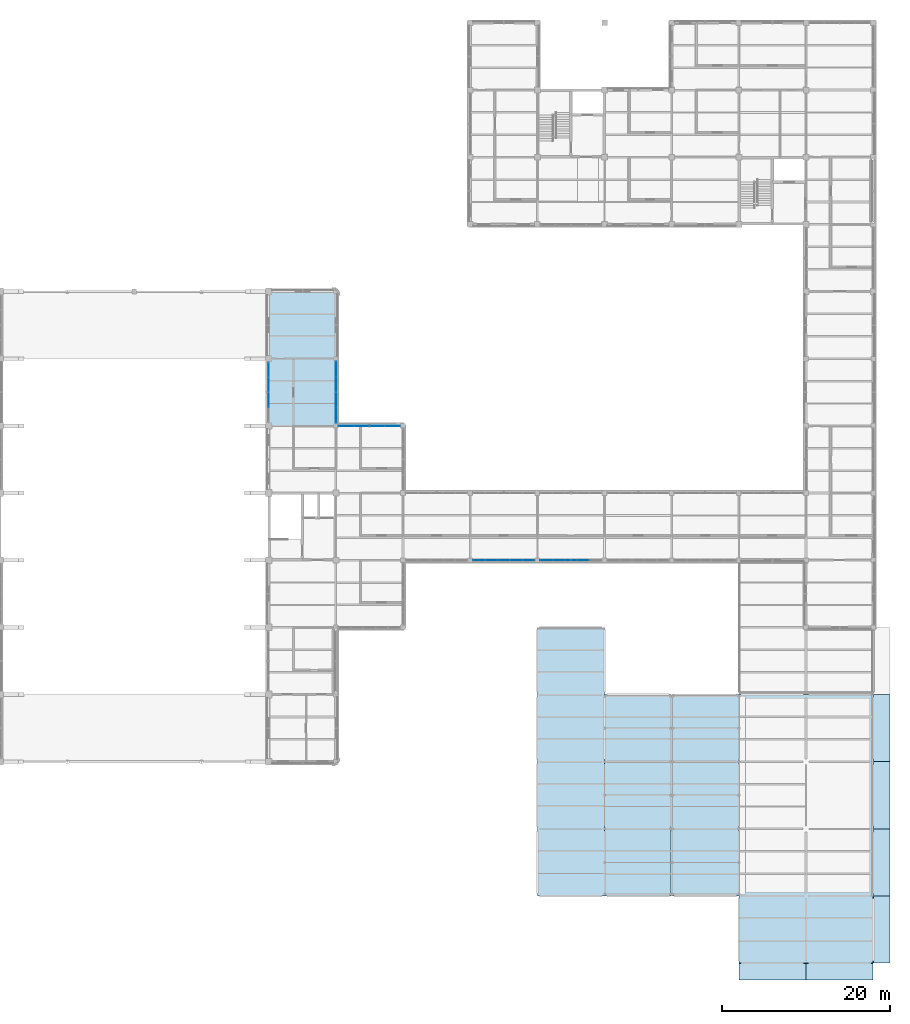
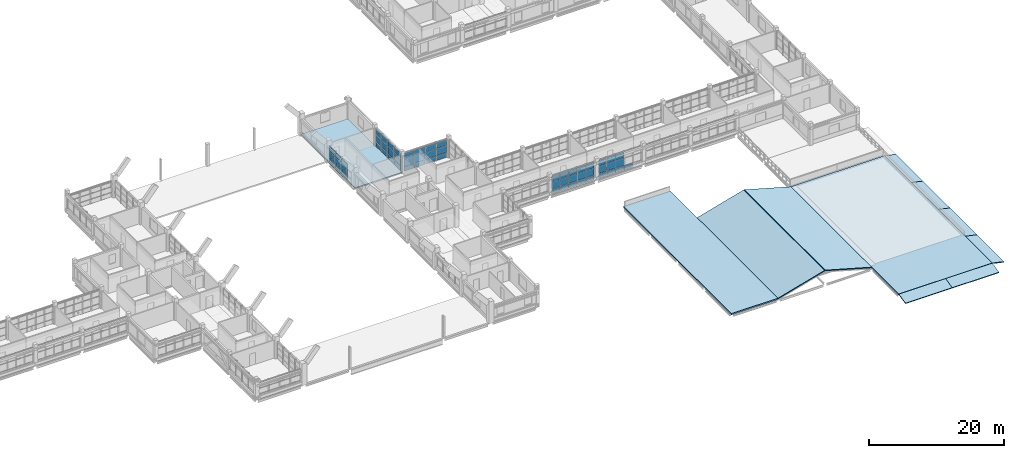
# One storey, part 56 of 92: 58 plates, 11 slabs, 5 elements without a shape of their own.
"""IFC4 building model written with IfcOpenShell, lengths in metres."""

from ifc_helpers import new_model, si_unit, derived_unit, direction, frame, origin, origin_2d, place, context, subcontext, project, spatial, polyline, rectangle, outline, extrude, material, layer, layer_set, type_object, element, aggregate, save


model = new_model("IFC4")

# Units and contexts
model_context = context("Model", 3, precision=1e-05, world=origin(), true_north=direction((0.0, 1.0)))
body_context = subcontext(model_context, "Body", "Model", "MODEL_VIEW")
ifc_project = project(units=[si_unit("LENGTHUNIT", "METRE"), si_unit("AREAUNIT", "SQUARE_METRE"), si_unit("VOLUMEUNIT", "CUBIC_METRE"), si_unit("PLANEANGLEUNIT", "RADIAN"), si_unit("MASSUNIT", "GRAM", prefix="KILO"), derived_unit("THERMALTRANSMITTANCEUNIT", [(si_unit("MASSUNIT", "GRAM", prefix="KILO"), 1), (si_unit("TIMEUNIT", "SECOND"), -3), (si_unit("THERMODYNAMICTEMPERATUREUNIT", "KELVIN"), -1)])], contexts=[model_context])

# Site, building, storey
site_placement = place(None, origin())
site = spatial("IfcSite", under=ifc_project, at=site_placement, CompositionType="ELEMENT")
building_placement = place(site_placement, origin())
building = spatial("IfcBuilding", under=site, at=building_placement, Name="Veyamyaing Civic Hall", CompositionType="ELEMENT")
storey_placement = place(building_placement, frame((0.0, 0.0, 17.820068359375)))
storey = spatial("IfcBuildingStorey", under=building, at=storey_placement, Name="L04", CompositionType="ELEMENT", Elevation=17.820068359375)

# Curtain wall, plates
ifc_material_1 = material(Name="Anodised aluminium 6063-T6", Category="aluminium")
ifc_layer_1 = layer(ifc_material_1, 0.159912109375, Name="Anodised aluminium 6063-T6")
ifc_layer_set_1 = layer_set([ifc_layer_1], Name="Anodised aluminium 6063-T6")
curtain_wall_type_1 = type_object("IfcCurtainWallType", Name="CW-08", PredefinedType="NOTDEFINED", material=ifc_layer_set_1)
curtain_wall_1_placement = place(storey_placement, origin())
curtain_wall_1 = element("IfcCurtainWall", 1, at=curtain_wall_1_placement, inside=storey, type_object=curtain_wall_type_1, Name="Unitized curtain wall CW-08 L04 W 14.9", PredefinedType="NOTDEFINED")
ifc_material_2 = material(Name="Low-E insulated glass", Category="glass")
ifc_layer_2 = layer(ifc_material_2, 0.035888671875, Name="Low-E insulated glass")
ifc_layer_set_2 = layer_set([ifc_layer_2], Name="Low-E insulated glass")
plate_type_1 = type_object("IfcPlateType", Name="CWP-03", PredefinedType="CURTAIN_PANEL", material=ifc_layer_set_2)
plate_1_placement = place(storey_placement, frame((104.0, 67.107421875, 0.06494140625), z_axis=(0.0, 0.0, 1.0), x_axis=(0.0, 1.0, 0.0)))
plate_1 = element("IfcPlate", 2, at=plate_1_placement, type_object=plate_type_1, Name="CW-08 panel 2.1", PredefinedType="CURTAIN_PANEL", context=body_context, shape_type="SweptSolid", body=[
    extrude(rectangle(XDim=1.719970703125, YDim=0.035888671875, at=origin_2d()), origin(), (0.0, 0.0, 1.0), 0.802490234375),
])
plate_2_placement = place(storey_placement, frame((104.0, 67.107421875, 0.9326171875), z_axis=(0.0, 0.0, 1.0), x_axis=(0.0, 1.0, 0.0)))
plate_2 = element("IfcPlate", 3, at=plate_2_placement, type_object=plate_type_1, Name="CW-08 panel 2.2", PredefinedType="CURTAIN_PANEL", context=body_context, shape_type="SweptSolid", body=[
    extrude(rectangle(XDim=1.719970703125, YDim=0.035888671875, at=origin_2d()), origin(), (0.0, 0.0, 1.0), 1.076416015625),
])
plate_3_placement = place(storey_placement, frame((104.0, 67.107421875, 2.07373046875), z_axis=(0.0, 0.0, 1.0), x_axis=(0.0, 1.0, 0.0)))
plate_3 = element("IfcPlate", 4, at=plate_3_placement, type_object=plate_type_1, Name="CW-08 panel 2.3", PredefinedType="CURTAIN_PANEL", context=body_context, shape_type="SweptSolid", body=[
    extrude(rectangle(XDim=1.719970703125, YDim=0.035888671875, at=origin_2d()), origin(), (0.0, 0.0, 1.0), 0.863037109375),
])
plate_4_placement = place(storey_placement, frame((104.0, 68.892578125, 0.06494140625), z_axis=(0.0, 0.0, 1.0), x_axis=(0.0, 1.0, 0.0)))
plate_4 = element("IfcPlate", 5, at=plate_4_placement, type_object=plate_type_1, Name="CW-08 panel 3.1", PredefinedType="CURTAIN_PANEL", context=body_context, shape_type="SweptSolid", body=[
    extrude(rectangle(XDim=1.719970703125, YDim=0.035888671875, at=origin_2d()), origin(), (0.0, 0.0, 1.0), 0.802490234375),
])
plate_5_placement = place(storey_placement, frame((104.0, 68.892578125, 0.9326171875), z_axis=(0.0, 0.0, 1.0), x_axis=(0.0, 1.0, 0.0)))
plate_5 = element("IfcPlate", 6, at=plate_5_placement, type_object=plate_type_1, Name="CW-08 panel 3.2", PredefinedType="CURTAIN_PANEL", context=body_context, shape_type="SweptSolid", body=[
    extrude(rectangle(XDim=1.719970703125, YDim=0.035888671875, at=origin_2d()), origin(), (0.0, 0.0, 1.0), 1.076416015625),
])
plate_6_placement = place(storey_placement, frame((104.0, 68.892578125, 2.07373046875), z_axis=(0.0, 0.0, 1.0), x_axis=(0.0, 1.0, 0.0)))
plate_6 = element("IfcPlate", 7, at=plate_6_placement, type_object=plate_type_1, Name="CW-08 panel 3.3", PredefinedType="CURTAIN_PANEL", context=body_context, shape_type="SweptSolid", body=[
    extrude(rectangle(XDim=1.719970703125, YDim=0.035888671875, at=origin_2d()), origin(), (0.0, 0.0, 1.0), 0.863037109375),
])
plate_7_placement = place(storey_placement, frame((104.0, 70.6611328125, 0.06494140625), z_axis=(0.0, 0.0, 1.0), x_axis=(0.0, 1.0, 0.0)))
plate_7 = element("IfcPlate", 8, at=plate_7_placement, type_object=plate_type_1, Name="CW-08 panel 4.1", PredefinedType="CURTAIN_PANEL", context=body_context, shape_type="SweptSolid", body=[
    extrude(rectangle(XDim=1.6875, YDim=0.035888671875, at=origin_2d()), origin(), (0.0, 0.0, 1.0), 0.802490234375),
])
plate_8_placement = place(storey_placement, frame((104.0, 70.6611328125, 0.9326171875), z_axis=(0.0, 0.0, 1.0), x_axis=(0.0, 1.0, 0.0)))
plate_8 = element("IfcPlate", 9, at=plate_8_placement, type_object=plate_type_1, Name="CW-08 panel 4.2", PredefinedType="CURTAIN_PANEL", context=body_context, shape_type="SweptSolid", body=[
    extrude(rectangle(XDim=1.6875, YDim=0.035888671875, at=origin_2d()), origin(), (0.0, 0.0, 1.0), 1.076416015625),
])
plate_9_placement = place(storey_placement, frame((104.0, 70.6611328125, 2.07373046875), z_axis=(0.0, 0.0, 1.0), x_axis=(0.0, 1.0, 0.0)))
plate_9 = element("IfcPlate", 10, at=plate_9_placement, type_object=plate_type_1, Name="CW-08 panel 4.3", PredefinedType="CURTAIN_PANEL", context=body_context, shape_type="SweptSolid", body=[
    extrude(rectangle(XDim=1.6875, YDim=0.035888671875, at=origin_2d()), origin(), (0.0, 0.0, 1.0), 0.863037109375),
])
aggregate(curtain_wall_1, [plate_1, plate_2, plate_3, plate_4, plate_5, plate_6, plate_7, plate_8, plate_9])

curtain_wall_2_placement = place(storey_placement, origin())
curtain_wall_2 = element("IfcCurtainWall", 11, at=curtain_wall_2_placement, inside=storey, type_object=curtain_wall_type_1, Name="Unitized curtain wall CW-08 L04 E 14.9", PredefinedType="NOTDEFINED")
plate_10_placement = place(storey_placement, frame((112.0, 65.2451171875, 0.06494140625), z_axis=(0.0, 0.0, 1.0), x_axis=(0.0, 1.0, 0.0)))
plate_10 = element("IfcPlate", 12, at=plate_10_placement, type_object=plate_type_1, Name="CW-08 panel 1.1", PredefinedType="CURTAIN_PANEL", context=body_context, shape_type="SweptSolid", body=[
    extrude(rectangle(XDim=1.75, YDim=0.035888671875, at=origin_2d()), origin(), (0.0, 0.0, 1.0), 0.802490234375),
])
plate_11_placement = place(storey_placement, frame((112.0, 65.2451171875, 0.932373046875), z_axis=(0.0, 0.0, 1.0), x_axis=(0.0, 1.0, 0.0)))
plate_11 = element("IfcPlate", 13, at=plate_11_placement, type_object=plate_type_1, Name="CW-08 panel 1.2", PredefinedType="CURTAIN_PANEL", context=body_context, shape_type="SweptSolid", body=[
    extrude(rectangle(XDim=1.75, YDim=0.035888671875, at=origin_2d()), origin(), (0.0, 0.0, 1.0), 1.271484375),
])
plate_12_placement = place(storey_placement, frame((112.0, 65.2451171875, 2.268798828125), z_axis=(0.0, 0.0, 1.0), x_axis=(0.0, 1.0, 0.0)))
plate_12 = element("IfcPlate", 14, at=plate_12_placement, type_object=plate_type_1, Name="CW-08 panel 1.3", PredefinedType="CURTAIN_PANEL", context=body_context, shape_type="SweptSolid", body=[
    extrude(rectangle(XDim=1.75, YDim=0.035888671875, at=origin_2d()), origin(), (0.0, 0.0, 1.0), 0.955078125),
])
plate_13_placement = place(storey_placement, frame((112.0, 67.076171875, 0.06494140625), z_axis=(0.0, 0.0, 1.0), x_axis=(0.0, 1.0, 0.0)))
plate_13 = element("IfcPlate", 15, at=plate_13_placement, type_object=plate_type_1, Name="CW-08 panel 2.1", PredefinedType="CURTAIN_PANEL", context=body_context, shape_type="SweptSolid", body=[
    extrude(rectangle(XDim=1.782470703125, YDim=0.035888671875, at=origin_2d()), origin(), (0.0, 0.0, 1.0), 0.802490234375),
])
plate_14_placement = place(storey_placement, frame((112.0, 67.076171875, 0.932373046875), z_axis=(0.0, 0.0, 1.0), x_axis=(0.0, 1.0, 0.0)))
plate_14 = element("IfcPlate", 16, at=plate_14_placement, type_object=plate_type_1, Name="CW-08 panel 2.2", PredefinedType="CURTAIN_PANEL", context=body_context, shape_type="SweptSolid", body=[
    extrude(rectangle(XDim=1.782470703125, YDim=0.035888671875, at=origin_2d()), origin(), (0.0, 0.0, 1.0), 1.271484375),
])
plate_15_placement = place(storey_placement, frame((112.0, 67.076171875, 2.268798828125), z_axis=(0.0, 0.0, 1.0), x_axis=(0.0, 1.0, 0.0)))
plate_15 = element("IfcPlate", 17, at=plate_15_placement, type_object=plate_type_1, Name="CW-08 panel 2.3", PredefinedType="CURTAIN_PANEL", context=body_context, shape_type="SweptSolid", body=[
    extrude(rectangle(XDim=1.782470703125, YDim=0.035888671875, at=origin_2d()), origin(), (0.0, 0.0, 1.0), 0.955078125),
])
plate_16_placement = place(storey_placement, frame((112.0, 68.923828125, 0.06494140625), z_axis=(0.0, 0.0, 1.0), x_axis=(0.0, 1.0, 0.0)))
plate_16 = element("IfcPlate", 18, at=plate_16_placement, type_object=plate_type_1, Name="CW-08 panel 3.1", PredefinedType="CURTAIN_PANEL", context=body_context, shape_type="SweptSolid", body=[
    extrude(rectangle(XDim=1.782470703125, YDim=0.035888671875, at=origin_2d()), origin(), (0.0, 0.0, 1.0), 0.802490234375),
])
plate_17_placement = place(storey_placement, frame((112.0, 68.923828125, 0.932373046875), z_axis=(0.0, 0.0, 1.0), x_axis=(0.0, 1.0, 0.0)))
plate_17 = element("IfcPlate", 19, at=plate_17_placement, type_object=plate_type_1, Name="CW-08 panel 3.2", PredefinedType="CURTAIN_PANEL", context=body_context, shape_type="SweptSolid", body=[
    extrude(rectangle(XDim=1.782470703125, YDim=0.035888671875, at=origin_2d()), origin(), (0.0, 0.0, 1.0), 1.271484375),
])
plate_18_placement = place(storey_placement, frame((112.0, 68.923828125, 2.268798828125), z_axis=(0.0, 0.0, 1.0), x_axis=(0.0, 1.0, 0.0)))
plate_18 = element("IfcPlate", 20, at=plate_18_placement, type_object=plate_type_1, Name="CW-08 panel 3.3", PredefinedType="CURTAIN_PANEL", context=body_context, shape_type="SweptSolid", body=[
    extrude(rectangle(XDim=1.782470703125, YDim=0.035888671875, at=origin_2d()), origin(), (0.0, 0.0, 1.0), 0.955078125),
])
plate_19_placement = place(storey_placement, frame((112.0, 70.7548828125, 0.06494140625), z_axis=(0.0, 0.0, 1.0), x_axis=(0.0, 1.0, 0.0)))
plate_19 = element("IfcPlate", 21, at=plate_19_placement, type_object=plate_type_1, Name="CW-08 panel 4.1", PredefinedType="CURTAIN_PANEL", context=body_context, shape_type="SweptSolid", body=[
    extrude(rectangle(XDim=1.75, YDim=0.035888671875, at=origin_2d()), origin(), (0.0, 0.0, 1.0), 0.802490234375),
])
plate_20_placement = place(storey_placement, frame((112.0, 70.7548828125, 0.932373046875), z_axis=(0.0, 0.0, 1.0), x_axis=(0.0, 1.0, 0.0)))
plate_20 = element("IfcPlate", 22, at=plate_20_placement, type_object=plate_type_1, Name="CW-08 panel 4.2", PredefinedType="CURTAIN_PANEL", context=body_context, shape_type="SweptSolid", body=[
    extrude(rectangle(XDim=1.75, YDim=0.035888671875, at=origin_2d()), origin(), (0.0, 0.0, 1.0), 1.271484375),
])
plate_21_placement = place(storey_placement, frame((112.0, 70.7548828125, 2.268798828125), z_axis=(0.0, 0.0, 1.0), x_axis=(0.0, 1.0, 0.0)))
plate_21 = element("IfcPlate", 23, at=plate_21_placement, type_object=plate_type_1, Name="CW-08 panel 4.3", PredefinedType="CURTAIN_PANEL", context=body_context, shape_type="SweptSolid", body=[
    extrude(rectangle(XDim=1.75, YDim=0.035888671875, at=origin_2d()), origin(), (0.0, 0.0, 1.0), 0.955078125),
])
aggregate(curtain_wall_2, [plate_10, plate_11, plate_12, plate_13, plate_14, plate_15, plate_16, plate_17, plate_18, plate_19, plate_20, plate_21])

curtain_wall_3_placement = place(storey_placement, origin())
curtain_wall_3 = element("IfcCurtainWall", 24, at=curtain_wall_3_placement, inside=storey, type_object=curtain_wall_type_1, Name="Unitized curtain wall CW-08 L04 N 15.8", PredefinedType="NOTDEFINED")
plate_22_placement = place(storey_placement, frame((113.2451171875, 64.0, 0.06494140625), z_axis=(0.0, 0.0, 1.0), x_axis=(1.0, 0.0, 0.0)))
plate_22 = element("IfcPlate", 25, at=plate_22_placement, type_object=plate_type_1, Name="CW-08 panel 1.1", PredefinedType="CURTAIN_PANEL", context=body_context, shape_type="SweptSolid", body=[
    extrude(rectangle(XDim=1.75, YDim=0.035888671875, at=origin_2d()), origin(), (0.0, 0.0, 1.0), 0.802490234375),
])
plate_23_placement = place(storey_placement, frame((113.2451171875, 64.0, 0.932373046875), z_axis=(0.0, 0.0, 1.0), x_axis=(1.0, 0.0, 0.0)))
plate_23 = element("IfcPlate", 26, at=plate_23_placement, type_object=plate_type_1, Name="CW-08 panel 1.2", PredefinedType="CURTAIN_PANEL", context=body_context, shape_type="SweptSolid", body=[
    extrude(rectangle(XDim=1.75, YDim=0.035888671875, at=origin_2d()), origin(), (0.0, 0.0, 1.0), 1.271484375),
])
plate_24_placement = place(storey_placement, frame((113.2451171875, 64.0, 2.268798828125), z_axis=(0.0, 0.0, 1.0), x_axis=(1.0, 0.0, 0.0)))
plate_24 = element("IfcPlate", 27, at=plate_24_placement, type_object=plate_type_1, Name="CW-08 panel 1.3", PredefinedType="CURTAIN_PANEL", context=body_context, shape_type="SweptSolid", body=[
    extrude(rectangle(XDim=1.75, YDim=0.035888671875, at=origin_2d()), origin(), (0.0, 0.0, 1.0), 0.955078125),
])
plate_25_placement = place(storey_placement, frame((115.076171875, 64.0, 0.06494140625), z_axis=(0.0, 0.0, 1.0), x_axis=(1.0, 0.0, 0.0)))
plate_25 = element("IfcPlate", 28, at=plate_25_placement, type_object=plate_type_1, Name="CW-08 panel 2.1", PredefinedType="CURTAIN_PANEL", context=body_context, shape_type="SweptSolid", body=[
    extrude(rectangle(XDim=1.782470703125, YDim=0.035888671875, at=origin_2d()), origin(), (0.0, 0.0, 1.0), 0.802490234375),
])
plate_26_placement = place(storey_placement, frame((115.076171875, 64.0, 0.932373046875), z_axis=(0.0, 0.0, 1.0), x_axis=(1.0, 0.0, 0.0)))
plate_26 = element("IfcPlate", 29, at=plate_26_placement, type_object=plate_type_1, Name="CW-08 panel 2.2", PredefinedType="CURTAIN_PANEL", context=body_context, shape_type="SweptSolid", body=[
    extrude(rectangle(XDim=1.782470703125, YDim=0.035888671875, at=origin_2d()), origin(), (0.0, 0.0, 1.0), 1.271484375),
])
plate_27_placement = place(storey_placement, frame((115.076171875, 64.0, 2.268798828125), z_axis=(0.0, 0.0, 1.0), x_axis=(1.0, 0.0, 0.0)))
plate_27 = element("IfcPlate", 30, at=plate_27_placement, type_object=plate_type_1, Name="CW-08 panel 2.3", PredefinedType="CURTAIN_PANEL", context=body_context, shape_type="SweptSolid", body=[
    extrude(rectangle(XDim=1.782470703125, YDim=0.035888671875, at=origin_2d()), origin(), (0.0, 0.0, 1.0), 0.955078125),
])
plate_28_placement = place(storey_placement, frame((116.923828125, 64.0, 0.06494140625), z_axis=(0.0, 0.0, 1.0), x_axis=(1.0, 0.0, 0.0)))
plate_28 = element("IfcPlate", 31, at=plate_28_placement, type_object=plate_type_1, Name="CW-08 panel 3.1", PredefinedType="CURTAIN_PANEL", context=body_context, shape_type="SweptSolid", body=[
    extrude(rectangle(XDim=1.782470703125, YDim=0.035888671875, at=origin_2d()), origin(), (0.0, 0.0, 1.0), 0.802490234375),
])
plate_29_placement = place(storey_placement, frame((116.923828125, 64.0, 0.932373046875), z_axis=(0.0, 0.0, 1.0), x_axis=(1.0, 0.0, 0.0)))
plate_29 = element("IfcPlate", 32, at=plate_29_placement, type_object=plate_type_1, Name="CW-08 panel 3.2", PredefinedType="CURTAIN_PANEL", context=body_context, shape_type="SweptSolid", body=[
    extrude(rectangle(XDim=1.782470703125, YDim=0.035888671875, at=origin_2d()), origin(), (0.0, 0.0, 1.0), 1.271484375),
])
plate_30_placement = place(storey_placement, frame((116.923828125, 64.0, 2.268798828125), z_axis=(0.0, 0.0, 1.0), x_axis=(1.0, 0.0, 0.0)))
plate_30 = element("IfcPlate", 33, at=plate_30_placement, type_object=plate_type_1, Name="CW-08 panel 3.3", PredefinedType="CURTAIN_PANEL", context=body_context, shape_type="SweptSolid", body=[
    extrude(rectangle(XDim=1.782470703125, YDim=0.035888671875, at=origin_2d()), origin(), (0.0, 0.0, 1.0), 0.955078125),
])
plate_31_placement = place(storey_placement, frame((118.7548828125, 64.0, 0.06494140625), z_axis=(0.0, 0.0, 1.0), x_axis=(1.0, 0.0, 0.0)))
plate_31 = element("IfcPlate", 34, at=plate_31_placement, type_object=plate_type_1, Name="CW-08 panel 4.1", PredefinedType="CURTAIN_PANEL", context=body_context, shape_type="SweptSolid", body=[
    extrude(rectangle(XDim=1.75, YDim=0.035888671875, at=origin_2d()), origin(), (0.0, 0.0, 1.0), 0.802490234375),
])
plate_32_placement = place(storey_placement, frame((118.7548828125, 64.0, 0.932373046875), z_axis=(0.0, 0.0, 1.0), x_axis=(1.0, 0.0, 0.0)))
plate_32 = element("IfcPlate", 35, at=plate_32_placement, type_object=plate_type_1, Name="CW-08 panel 4.2", PredefinedType="CURTAIN_PANEL", context=body_context, shape_type="SweptSolid", body=[
    extrude(rectangle(XDim=1.75, YDim=0.035888671875, at=origin_2d()), origin(), (0.0, 0.0, 1.0), 1.271484375),
])
plate_33_placement = place(storey_placement, frame((118.7548828125, 64.0, 2.268798828125), z_axis=(0.0, 0.0, 1.0), x_axis=(1.0, 0.0, 0.0)))
plate_33 = element("IfcPlate", 36, at=plate_33_placement, type_object=plate_type_1, Name="CW-08 panel 4.3", PredefinedType="CURTAIN_PANEL", context=body_context, shape_type="SweptSolid", body=[
    extrude(rectangle(XDim=1.75, YDim=0.035888671875, at=origin_2d()), origin(), (0.0, 0.0, 1.0), 0.955078125),
])
aggregate(curtain_wall_3, [plate_22, plate_23, plate_24, plate_25, plate_26, plate_27, plate_28, plate_29, plate_30, plate_31, plate_32, plate_33])

ifc_layer_3 = layer(ifc_material_1, 0.139892578125, Name="Anodised aluminium 6063-T6")
ifc_layer_set_3 = layer_set([ifc_layer_3], Name="Anodised aluminium 6063-T6")
curtain_wall_type_2 = type_object("IfcCurtainWallType", Name="CW-04", PredefinedType="NOTDEFINED", material=ifc_layer_set_3)
curtain_wall_4_placement = place(storey_placement, origin())
curtain_wall_4 = element("IfcCurtainWall", 37, at=curtain_wall_4_placement, inside=storey, type_object=curtain_wall_type_2, Name="Unitized curtain wall CW-04 L04 S 17.7", PredefinedType="NOTDEFINED")
ifc_layer_4 = layer(ifc_material_2, 0.02392578125, Name="Low-E insulated glass")
ifc_layer_set_4 = layer_set([ifc_layer_4], Name="Low-E insulated glass")
plate_type_2 = type_object("IfcPlateType", Name="CWP-04", PredefinedType="CURTAIN_PANEL", material=ifc_layer_set_4)
plate_34_placement = place(storey_placement, frame((129.05908203125, 48.0, 0.059814453125), z_axis=(0.0, 0.0, 1.0), x_axis=(1.0, 0.0, 0.0)))
plate_34 = element("IfcPlate", 38, at=plate_34_placement, type_object=plate_type_2, Name="CW-04 panel 1.1", PredefinedType="CURTAIN_PANEL", context=body_context, shape_type="SweptSolid", body=[
    extrude(rectangle(XDim=1.387939453125, YDim=0.02392578125, at=origin_2d()), origin(), (0.0, 0.0, 1.0), 0.81005859375),
])
plate_35_placement = place(storey_placement, frame((129.05908203125, 48.0, 0.9296875), z_axis=(0.0, 0.0, 1.0), x_axis=(1.0, 0.0, 0.0)))
plate_35 = element("IfcPlate", 39, at=plate_35_placement, type_object=plate_type_2, Name="CW-04 panel 1.2", PredefinedType="CURTAIN_PANEL", context=body_context, shape_type="SweptSolid", body=[
    extrude(rectangle(XDim=1.387939453125, YDim=0.02392578125, at=origin_2d()), origin(), (0.0, 0.0, 1.0), 1.276611328125),
])
plate_36_placement = place(storey_placement, frame((129.05908203125, 48.0, 2.2666015625), z_axis=(0.0, 0.0, 1.0), x_axis=(1.0, 0.0, 0.0)))
plate_36 = element("IfcPlate", 40, at=plate_36_placement, type_object=plate_type_2, Name="CW-04 panel 1.3", PredefinedType="CURTAIN_PANEL", context=body_context, shape_type="SweptSolid", body=[
    extrude(rectangle(XDim=1.387939453125, YDim=0.02392578125, at=origin_2d()), origin(), (0.0, 0.0, 1.0), 0.96240234375),
])
plate_37_placement = place(storey_placement, frame((130.52197265625, 48.0, 0.059814453125), z_axis=(0.0, 0.0, 1.0), x_axis=(1.0, 0.0, 0.0)))
plate_37 = element("IfcPlate", 41, at=plate_37_placement, type_object=plate_type_2, Name="CW-04 panel 2.1", PredefinedType="CURTAIN_PANEL", context=body_context, shape_type="SweptSolid", body=[
    extrude(rectangle(XDim=1.41796875, YDim=0.02392578125, at=origin_2d()), origin(), (0.0, 0.0, 1.0), 0.81005859375),
])
plate_38_placement = place(storey_placement, frame((130.52197265625, 48.0, 0.9296875), z_axis=(0.0, 0.0, 1.0), x_axis=(1.0, 0.0, 0.0)))
plate_38 = element("IfcPlate", 42, at=plate_38_placement, type_object=plate_type_2, Name="CW-04 panel 2.2", PredefinedType="CURTAIN_PANEL", context=body_context, shape_type="SweptSolid", body=[
    extrude(rectangle(XDim=1.41796875, YDim=0.02392578125, at=origin_2d()), origin(), (0.0, 0.0, 1.0), 1.276611328125),
])
plate_39_placement = place(storey_placement, frame((130.52197265625, 48.0, 2.2666015625), z_axis=(0.0, 0.0, 1.0), x_axis=(1.0, 0.0, 0.0)))
plate_39 = element("IfcPlate", 43, at=plate_39_placement, type_object=plate_type_2, Name="CW-04 panel 2.3", PredefinedType="CURTAIN_PANEL", context=body_context, shape_type="SweptSolid", body=[
    extrude(rectangle(XDim=1.41796875, YDim=0.02392578125, at=origin_2d()), origin(), (0.0, 0.0, 1.0), 0.96240234375),
])
plate_40_placement = place(storey_placement, frame((132.0, 48.0, 0.059814453125), z_axis=(0.0, 0.0, 1.0), x_axis=(1.0, 0.0, 0.0)))
plate_40 = element("IfcPlate", 44, at=plate_40_placement, type_object=plate_type_2, Name="CW-04 panel 3.1", PredefinedType="CURTAIN_PANEL", context=body_context, shape_type="SweptSolid", body=[
    extrude(rectangle(XDim=1.41796875, YDim=0.02392578125, at=origin_2d()), origin(), (0.0, 0.0, 1.0), 0.81005859375),
])
plate_41_placement = place(storey_placement, frame((132.0, 48.0, 0.9296875), z_axis=(0.0, 0.0, 1.0), x_axis=(1.0, 0.0, 0.0)))
plate_41 = element("IfcPlate", 45, at=plate_41_placement, type_object=plate_type_2, Name="CW-04 panel 3.2", PredefinedType="CURTAIN_PANEL", context=body_context, shape_type="SweptSolid", body=[
    extrude(rectangle(XDim=1.41796875, YDim=0.02392578125, at=origin_2d()), origin(), (0.0, 0.0, 1.0), 1.276611328125),
])
plate_42_placement = place(storey_placement, frame((132.0, 48.0, 2.2666015625), z_axis=(0.0, 0.0, 1.0), x_axis=(1.0, 0.0, 0.0)))
plate_42 = element("IfcPlate", 46, at=plate_42_placement, type_object=plate_type_2, Name="CW-04 panel 3.3", PredefinedType="CURTAIN_PANEL", context=body_context, shape_type="SweptSolid", body=[
    extrude(rectangle(XDim=1.41796875, YDim=0.02392578125, at=origin_2d()), origin(), (0.0, 0.0, 1.0), 0.96240234375),
])
plate_43_placement = place(storey_placement, frame((133.47802734375, 48.0, 0.059814453125), z_axis=(0.0, 0.0, 1.0), x_axis=(1.0, 0.0, 0.0)))
plate_43 = element("IfcPlate", 47, at=plate_43_placement, type_object=plate_type_2, Name="CW-04 panel 4.1", PredefinedType="CURTAIN_PANEL", context=body_context, shape_type="SweptSolid", body=[
    extrude(rectangle(XDim=1.41796875, YDim=0.02392578125, at=origin_2d()), origin(), (0.0, 0.0, 1.0), 0.81005859375),
])
plate_44_placement = place(storey_placement, frame((133.47802734375, 48.0, 0.9296875), z_axis=(0.0, 0.0, 1.0), x_axis=(1.0, 0.0, 0.0)))
plate_44 = element("IfcPlate", 48, at=plate_44_placement, type_object=plate_type_2, Name="CW-04 panel 4.2", PredefinedType="CURTAIN_PANEL", context=body_context, shape_type="SweptSolid", body=[
    extrude(rectangle(XDim=1.41796875, YDim=0.02392578125, at=origin_2d()), origin(), (0.0, 0.0, 1.0), 1.276611328125),
])
plate_45_placement = place(storey_placement, frame((133.47802734375, 48.0, 2.2666015625), z_axis=(0.0, 0.0, 1.0), x_axis=(1.0, 0.0, 0.0)))
plate_45 = element("IfcPlate", 49, at=plate_45_placement, type_object=plate_type_2, Name="CW-04 panel 4.3", PredefinedType="CURTAIN_PANEL", context=body_context, shape_type="SweptSolid", body=[
    extrude(rectangle(XDim=1.41796875, YDim=0.02392578125, at=origin_2d()), origin(), (0.0, 0.0, 1.0), 0.96240234375),
])
plate_46_placement = place(storey_placement, frame((134.94091796875, 48.0, 0.059814453125), z_axis=(0.0, 0.0, 1.0), x_axis=(1.0, 0.0, 0.0)))
plate_46 = element("IfcPlate", 50, at=plate_46_placement, type_object=plate_type_2, Name="CW-04 panel 5.1", PredefinedType="CURTAIN_PANEL", context=body_context, shape_type="SweptSolid", body=[
    extrude(rectangle(XDim=1.387939453125, YDim=0.02392578125, at=origin_2d()), origin(), (0.0, 0.0, 1.0), 0.81005859375),
])
plate_47_placement = place(storey_placement, frame((134.94091796875, 48.0, 0.9296875), z_axis=(0.0, 0.0, 1.0), x_axis=(1.0, 0.0, 0.0)))
plate_47 = element("IfcPlate", 51, at=plate_47_placement, type_object=plate_type_2, Name="CW-04 panel 5.2", PredefinedType="CURTAIN_PANEL", context=body_context, shape_type="SweptSolid", body=[
    extrude(rectangle(XDim=1.387939453125, YDim=0.02392578125, at=origin_2d()), origin(), (0.0, 0.0, 1.0), 1.276611328125),
])
plate_48_placement = place(storey_placement, frame((134.94091796875, 48.0, 2.2666015625), z_axis=(0.0, 0.0, 1.0), x_axis=(1.0, 0.0, 0.0)))
plate_48 = element("IfcPlate", 52, at=plate_48_placement, type_object=plate_type_2, Name="CW-04 panel 5.3", PredefinedType="CURTAIN_PANEL", context=body_context, shape_type="SweptSolid", body=[
    extrude(rectangle(XDim=1.387939453125, YDim=0.02392578125, at=origin_2d()), origin(), (0.0, 0.0, 1.0), 0.96240234375),
])
aggregate(curtain_wall_4, [plate_34, plate_35, plate_36, plate_37, plate_38, plate_39, plate_40, plate_41, plate_42, plate_43, plate_44, plate_45, plate_46, plate_47, plate_48])

curtain_wall_5_placement = place(storey_placement, origin())
curtain_wall_5 = element("IfcCurtainWall", 53, at=curtain_wall_5_placement, inside=storey, type_object=curtain_wall_type_2, Name="Unitized curtain wall CW-04 L04 S 18.7", PredefinedType="NOTDEFINED")
ifc_layer_5 = layer(ifc_material_2, 0.0400390625, Name="Low-E insulated glass")
ifc_layer_set_5 = layer_set([ifc_layer_5], Name="Low-E insulated glass")
plate_type_3 = type_object("IfcPlateType", Name="CWP-05", PredefinedType="CURTAIN_PANEL", material=ifc_layer_set_5)
plate_49_placement = place(storey_placement, frame((137.05908203125, 48.0, 0.059814453125), z_axis=(0.0, 0.0, 1.0), x_axis=(1.0, 0.0, 0.0)))
plate_49 = element("IfcPlate", 54, at=plate_49_placement, type_object=plate_type_3, Name="CW-04 panel 1.1", PredefinedType="CURTAIN_PANEL", context=body_context, shape_type="SweptSolid", body=[
    extrude(rectangle(XDim=1.387939453125, YDim=0.0400390625, at=origin_2d()), origin(), (0.0, 0.0, 1.0), 0.81005859375),
])
plate_50_placement = place(storey_placement, frame((137.05908203125, 48.0, 0.929931640625), z_axis=(0.0, 0.0, 1.0), x_axis=(1.0, 0.0, 0.0)))
plate_50 = element("IfcPlate", 55, at=plate_50_placement, type_object=plate_type_3, Name="CW-04 panel 1.2", PredefinedType="CURTAIN_PANEL", context=body_context, shape_type="SweptSolid", body=[
    extrude(rectangle(XDim=1.387939453125, YDim=0.0400390625, at=origin_2d()), origin(), (0.0, 0.0, 1.0), 1.3193359375),
])
plate_51_placement = place(storey_placement, frame((137.05908203125, 48.0, 2.30908203125), z_axis=(0.0, 0.0, 1.0), x_axis=(1.0, 0.0, 0.0)))
plate_51 = element("IfcPlate", 56, at=plate_51_placement, type_object=plate_type_3, Name="CW-04 panel 1.3", PredefinedType="CURTAIN_PANEL", context=body_context, shape_type="SweptSolid", body=[
    extrude(rectangle(XDim=1.387939453125, YDim=0.0400390625, at=origin_2d()), origin(), (0.0, 0.0, 1.0), 0.982666015625),
])
plate_52_placement = place(storey_placement, frame((138.52197265625, 48.0, 0.059814453125), z_axis=(0.0, 0.0, 1.0), x_axis=(1.0, 0.0, 0.0)))
plate_52 = element("IfcPlate", 57, at=plate_52_placement, type_object=plate_type_3, Name="CW-04 panel 2.1", PredefinedType="CURTAIN_PANEL", context=body_context, shape_type="SweptSolid", body=[
    extrude(rectangle(XDim=1.41796875, YDim=0.0400390625, at=origin_2d()), origin(), (0.0, 0.0, 1.0), 0.81005859375),
])
plate_53_placement = place(storey_placement, frame((138.52197265625, 48.0, 0.929931640625), z_axis=(0.0, 0.0, 1.0), x_axis=(1.0, 0.0, 0.0)))
plate_53 = element("IfcPlate", 58, at=plate_53_placement, type_object=plate_type_3, Name="CW-04 panel 2.2", PredefinedType="CURTAIN_PANEL", context=body_context, shape_type="SweptSolid", body=[
    extrude(rectangle(XDim=1.41796875, YDim=0.0400390625, at=origin_2d()), origin(), (0.0, 0.0, 1.0), 1.3193359375),
])
plate_54_placement = place(storey_placement, frame((138.52197265625, 48.0, 2.30908203125), z_axis=(0.0, 0.0, 1.0), x_axis=(1.0, 0.0, 0.0)))
plate_54 = element("IfcPlate", 59, at=plate_54_placement, type_object=plate_type_3, Name="CW-04 panel 2.3", PredefinedType="CURTAIN_PANEL", context=body_context, shape_type="SweptSolid", body=[
    extrude(rectangle(XDim=1.41796875, YDim=0.0400390625, at=origin_2d()), origin(), (0.0, 0.0, 1.0), 0.982666015625),
])
plate_55_placement = place(storey_placement, frame((140.0, 48.0, 0.059814453125), z_axis=(0.0, 0.0, 1.0), x_axis=(1.0, 0.0, 0.0)))
plate_55 = element("IfcPlate", 60, at=plate_55_placement, type_object=plate_type_3, Name="CW-04 panel 3.1", PredefinedType="CURTAIN_PANEL", context=body_context, shape_type="SweptSolid", body=[
    extrude(rectangle(XDim=1.41796875, YDim=0.0400390625, at=origin_2d()), origin(), (0.0, 0.0, 1.0), 0.81005859375),
])
plate_56_placement = place(storey_placement, frame((140.0, 48.0, 0.929931640625), z_axis=(0.0, 0.0, 1.0), x_axis=(1.0, 0.0, 0.0)))
plate_56 = element("IfcPlate", 61, at=plate_56_placement, type_object=plate_type_3, Name="CW-04 panel 3.2", PredefinedType="CURTAIN_PANEL", context=body_context, shape_type="SweptSolid", body=[
    extrude(rectangle(XDim=1.41796875, YDim=0.0400390625, at=origin_2d()), origin(), (0.0, 0.0, 1.0), 1.3193359375),
])
plate_57_placement = place(storey_placement, frame((140.0, 48.0, 2.30908203125), z_axis=(0.0, 0.0, 1.0), x_axis=(1.0, 0.0, 0.0)))
plate_57 = element("IfcPlate", 62, at=plate_57_placement, type_object=plate_type_3, Name="CW-04 panel 3.3", PredefinedType="CURTAIN_PANEL", context=body_context, shape_type="SweptSolid", body=[
    extrude(rectangle(XDim=1.41796875, YDim=0.0400390625, at=origin_2d()), origin(), (0.0, 0.0, 1.0), 0.982666015625),
])
plate_58_placement = place(storey_placement, frame((141.47802734375, 48.0, 0.059814453125), z_axis=(0.0, 0.0, 1.0), x_axis=(1.0, 0.0, 0.0)))
plate_58 = element("IfcPlate", 63, at=plate_58_placement, type_object=plate_type_3, Name="CW-04 panel 4.1", PredefinedType="CURTAIN_PANEL", context=body_context, shape_type="SweptSolid", body=[
    extrude(rectangle(XDim=1.41796875, YDim=0.0400390625, at=origin_2d()), origin(), (0.0, 0.0, 1.0), 0.81005859375),
])
aggregate(curtain_wall_5, [plate_49, plate_50, plate_51, plate_52, plate_53, plate_54, plate_55, plate_56, plate_57, plate_58])

# Slabs
ifc_material_3 = material(Name="Concrete C40/50", Category="concrete")
ifc_layer_6 = layer(ifc_material_3, 0.235107421875, Name="Concrete C40/50")
ifc_layer_set_6 = layer_set([ifc_layer_6], Name="Concrete C40/50")
slab_type_1 = type_object("IfcSlabType", Name="SL-06", PredefinedType="FLOOR", material=ifc_layer_set_6)
slab_1_placement = place(storey_placement, frame((0.0, 0.0, -0.235107421875)))
element("IfcSlab", 64, at=slab_1_placement, inside=storey, type_object=slab_type_1, Name="Floor slab SL-06 L04 V1N.2", PredefinedType="FLOOR", context=body_context, shape_type="SweptSolid", body=[
    extrude(outline(polyline([(104.0, 80.0), (112.0, 80.0), (112.0, 64.0), (104.0, 64.0), (104.0, 80.0)])), origin(), (0.0, 0.0, 1.0), 0.235107421875),
])
ifc_layer_7 = layer(ifc_material_3, 0.169921875, Name="Concrete C40/50")
ifc_layer_set_7 = layer_set([ifc_layer_7], Name="Concrete C40/50")
slab_type_2 = type_object("IfcSlabType", Name="SL-12", PredefinedType="ROOF", material=ifc_layer_set_7)
for number, where, z_axis, x_axis, name in (
    (65, (144.0, 8.0, 0.0), (-0.27151850405, 0.0, 0.96243321948), (0.96243321948, 0.0, 0.27151850405), "Members Library Sloped Clerestory Roof Slab SL-12 W"),
    (66, (152.06005859375, 8.0, 2.239990234375), (0.27151850405, 0.0, 0.96243321948), (0.96243321948, 0.0, -0.27151850405), "Members Library Sloped Clerestory Roof Slab SL-12 E"),
):
    element("IfcSlab", number, at=place(storey_placement, frame(where, z_axis=z_axis, x_axis=x_axis)), inside=storey, type_object=slab_type_2, Name=name, PredefinedType="ROOF", context=body_context, shape_type="SweptSolid", body=[
        extrude(outline(polyline([(0.0, 0.0), (8.249862167623082, 0.0), (8.249862167623082, 24.000000000000007), (0.0, 24.000000000000007), (0.0, 0.0)])), origin(), (0.0, 0.0, -1.0), 0.169921875),
    ])
ifc_layer_8 = layer(ifc_material_3, 0.14990234375, Name="Concrete C40/50")
ifc_layer_set_8 = layer_set([ifc_layer_8], Name="Concrete C40/50")
slab_type_3 = type_object("IfcSlabType", Name="SL-13", PredefinedType="ROOF", material=ifc_layer_set_8)
for number, where, z_axis, x_axis, name in (
    (67, (176.01806640625, 0.0, 0.0), (0.221392645263, 0.0, 0.975184749995), (0.975184749995, 0.0, -0.221392645263), "Sacak overhanging monsoon eave slab SL-13 V3-E.1"),
    (68, (176.01806640625, 8.0, 0.0), (0.221392645263, 0.0, 0.975184749995), (0.975184749995, 0.0, -0.221392645263), "Sacak overhanging monsoon eave slab SL-13 V3-E.2"),
    (69, (176.01806640625, 16.0, 0.0), (0.221392645263, 0.0, 0.975184749995), (0.975184749995, 0.0, -0.221392645263), "Sacak overhanging monsoon eave slab SL-13 V3-E.3"),
    (70, (176.01806640625, 24.0, 0.0), (0.221392645263, 0.0, 0.975184749995), (0.975184749995, 0.0, -0.221392645263), "Sacak overhanging monsoon eave slab SL-13 V3-E.4"),
):
    element("IfcSlab", number, at=place(storey_placement, frame(where, z_axis=z_axis, x_axis=x_axis)), inside=storey, type_object=slab_type_3, Name=name, PredefinedType="ROOF", context=body_context, shape_type="SweptSolid", body=[
        extrude(outline(polyline([(0.0, 0.0), (2.03236729630903, 0.0), (2.03236729630903, 8.0), (0.0, 8.0), (0.0, 0.0)])), origin(), (0.0, 0.0, -1.0), 0.14990234375),
    ])
for number, where, z_axis, x_axis, name in (
    (71, (160.0, -2.0, -0.449951171875), (0.0, -0.221392645263, 0.975184749995), (1.0, 0.0, 0.0), "Sacak overhanging monsoon eave slab SL-13 V3-S.21"),
    (72, (168.0, -2.0, -0.449951171875), (0.0, -0.221392645263, 0.975184749995), (1.0, 0.0, 0.0), "Sacak overhanging monsoon eave slab SL-13 V3-S.22"),
):
    element("IfcSlab", number, at=place(storey_placement, frame(where, z_axis=z_axis, x_axis=x_axis)), inside=storey, type_object=slab_type_3, Name=name, PredefinedType="ROOF", context=body_context, shape_type="SweptSolid", body=[
        extrude(outline(polyline([(0.0, 0.0), (8.0, 0.0), (8.0, 2.0323672963090296), (0.0, 2.0323672963090296), (0.0, 0.0)])), origin(), (0.0, 0.0, -1.0), 0.14990234375),
    ])
ifc_layer_9 = layer(ifc_material_3, 0.239990234375, Name="Concrete C40/50")
ifc_layer_set_9 = layer_set([ifc_layer_9], Name="Concrete C40/50")
slab_type_4 = type_object("IfcSlabType", Name="SL-15", PredefinedType="ROOF", material=ifc_layer_set_9)
slab_2_placement = place(storey_placement, frame((0.0, 0.0, -0.239990234375)))
element("IfcSlab", 73, at=slab_2_placement, inside=storey, type_object=slab_type_4, Name="Roof slab SL-15 L04 V3.1", PredefinedType="ROOF", context=body_context, shape_type="SweptSolid", body=[
    extrude(outline(polyline([(160.0, 0.0), (160.0, 32.0), (176.0, 32.0), (176.0, 0.0), (160.0, 0.0)])), origin(), (0.0, 0.0, 1.0), 0.239990234375),
])
slab_3_placement = place(storey_placement, frame((0.0, 0.0, -0.239990234375)))
element("IfcSlab", 74, at=slab_3_placement, inside=storey, type_object=slab_type_4, Name="Roof slab SL-15 L04 V3.2", PredefinedType="ROOF", context=body_context, shape_type="SweptSolid", body=[
    extrude(outline(polyline([(136.0, 8.0), (136.0, 40.0), (144.0, 40.0), (144.0, 8.0), (136.0, 8.0)])), origin(), (0.0, 0.0, 1.0), 0.239990234375),
])

save(model, "model.ifc")
